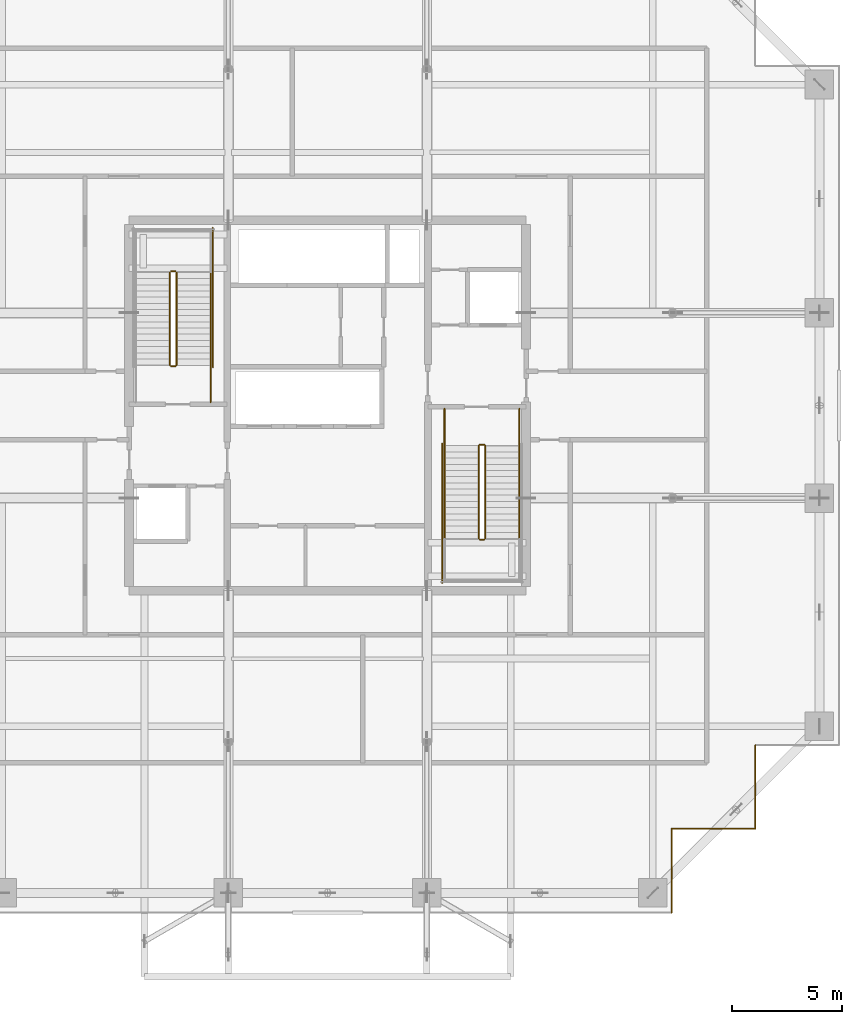
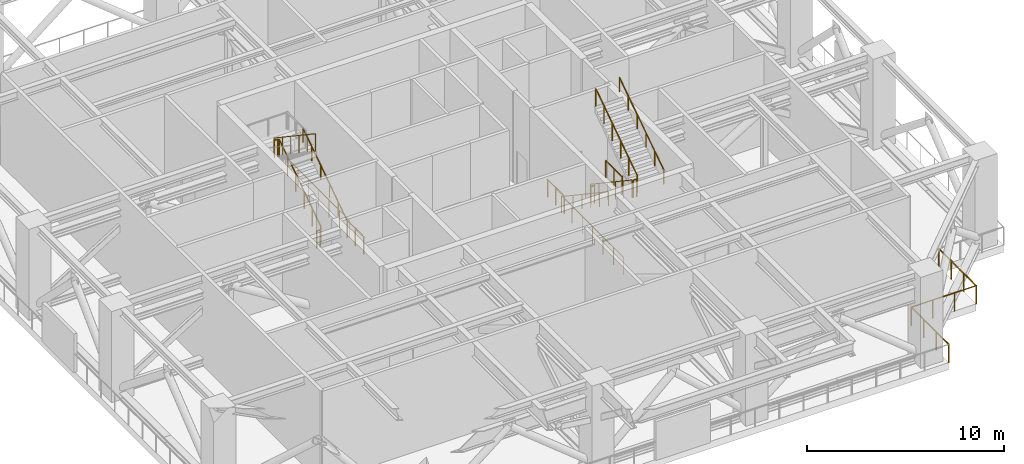
# One storey, part 21 of 22: 19 railings.
"""IFC4 building model written with IfcOpenShell, lengths in metres."""

from ifc_helpers import new_model, si_unit, direction, frame, origin, origin_2d, place, context, subcontext, project, spatial, circle, extrude, material, type_object, element, save


model = new_model("IFC4")

# Units and contexts
model_context = context("Model", 3, precision=1e-05, world=origin(), true_north=direction((0.0, 1.0)))
body_context = subcontext(model_context, "Body", "Model", "MODEL_VIEW")
ifc_project = project(units=[si_unit("LENGTHUNIT", "METRE"), si_unit("AREAUNIT", "SQUARE_METRE"), si_unit("VOLUMEUNIT", "CUBIC_METRE"), si_unit("PLANEANGLEUNIT", "RADIAN"), si_unit("MASSUNIT", "GRAM", prefix="KILO")], contexts=[model_context])

# Site, building, storey
site_placement = place(None, origin())
site = spatial("IfcSite", under=ifc_project, at=site_placement, CompositionType="ELEMENT")
building_placement = place(site_placement, origin())
building = spatial("IfcBuilding", under=site, at=building_placement, Name="Serunith Strait Residences", CompositionType="ELEMENT")
storey_placement = place(building_placement, frame((0.0, 0.0, 198.89990234375)))
storey = spatial("IfcBuildingStorey", under=building, at=storey_placement, Name="L50", CompositionType="ELEMENT", Elevation=198.89990234375)

# Railings
ifc_material_1 = material(Name="Brushed stainless steel 316L", Category="steel")
railing_type_1 = type_object("IfcRailingType", Name="RLG-STAIR-GUARD", PredefinedType="BALUSTRADE", material=ifc_material_1)
railing_1_placement = place(storey_placement, frame((25.550048828125, 27.030029296875, 0.1875)))
element("IfcRailing", 1, at=railing_1_placement, inside=storey, type_object=railing_type_1, Name="L50 ST-1 stair guard 1", PredefinedType="BALUSTRADE", context=body_context, shape_type="SweptSolid", body=[
    extrude(circle(Radius=0.02392578125, at=origin_2d()), frame((0.0, 0.001708984375, 1.0771484375), z_axis=(0.0, 0.830904186295, 0.556415522067), x_axis=(-1.0, 0.0, 0.0)), (0.0, 0.0, 1.0), 5.05078125),
    extrude(circle(Radius=0.02099609375, at=origin_2d()), origin(), (0.0, 0.0, 1.0), 1.050048828125),
    extrude(circle(Radius=0.02099609375, at=origin_2d()), frame((0.0, 0.840087890625, 0.5625)), (0.0, 0.0, 1.0), 1.050048828125),
    extrude(circle(Radius=0.02099609375, at=origin_2d()), frame((0.0, 1.679931640625, 1.125)), (0.0, 0.0, 1.0), 1.050048828125),
    extrude(circle(Radius=0.02099609375, at=origin_2d()), frame((0.0, 2.52001953125, 1.6875)), (0.0, 0.0, 1.0), 1.050048828125),
    extrude(circle(Radius=0.02099609375, at=origin_2d()), frame((0.0, 3.35986328125, 2.25)), (0.0, 0.0, 1.0), 1.050048828125),
    extrude(circle(Radius=0.02099609375, at=origin_2d()), frame((0.0, 4.199951171875, 2.8125)), (0.0, 0.0, 1.0), 1.050048828125),
])
railing_2_placement = place(storey_placement, frame((25.5, 31.280029296875, 3.0)))
element("IfcRailing", 2, at=railing_2_placement, inside=storey, type_object=railing_type_1, Name="L50 ST-1 stair guard 2", PredefinedType="BALUSTRADE", context=body_context, shape_type="SweptSolid", body=[
    extrude(circle(Radius=0.02392578125, at=origin_2d()), frame((-0.001953125, 0.0, 1.076171875), z_axis=(-1.0, 0.0, 0.0), x_axis=(0.0, -1.0, 0.0)), (0.0, 0.0, 1.0), 0.196044921875),
    extrude(circle(Radius=0.02099609375, at=origin_2d()), origin(), (0.0, 0.0, 1.0), 1.050048828125),
    extrude(circle(Radius=0.02099609375, at=origin_2d()), frame((-0.199951171875, 0.0, 0.0)), (0.0, 0.0, 1.0), 1.050048828125),
])
railing_3_placement = place(storey_placement, frame((25.25, 31.22998046875, 3.1875)))
element("IfcRailing", 3, at=railing_3_placement, inside=storey, type_object=railing_type_1, Name="L50 ST-1 stair guard 6", PredefinedType="BALUSTRADE", context=body_context, shape_type="SweptSolid", body=[
    extrude(circle(Radius=0.02392578125, at=origin_2d()), frame((0.0, -0.001708984375, 1.0771484375), z_axis=(0.0, -0.830904186295, 0.556415522067), x_axis=(1.0, 0.0, 0.0)), (0.0, 0.0, 1.0), 5.05078125),
    extrude(circle(Radius=0.02099609375, at=origin_2d()), origin(), (0.0, 0.0, 1.0), 1.050048828125),
    extrude(circle(Radius=0.02099609375, at=origin_2d()), frame((0.0, -0.840087890625, 0.5625)), (0.0, 0.0, 1.0), 1.050048828125),
    extrude(circle(Radius=0.02099609375, at=origin_2d()), frame((0.0, -1.679931640625, 1.125)), (0.0, 0.0, 1.0), 1.050048828125),
    extrude(circle(Radius=0.02099609375, at=origin_2d()), frame((0.0, -2.52001953125, 1.6875)), (0.0, 0.0, 1.0), 1.050048828125),
    extrude(circle(Radius=0.02099609375, at=origin_2d()), frame((0.0, -3.35986328125, 2.25)), (0.0, 0.0, 1.0), 1.050048828125),
    extrude(circle(Radius=0.02099609375, at=origin_2d()), frame((0.0, -4.199951171875, 2.8125)), (0.0, 0.0, 1.0), 1.050048828125),
])
railing_4_placement = place(storey_placement, frame((25.5, 26.97998046875, 0.0)))
element("IfcRailing", 4, at=railing_4_placement, inside=storey, type_object=railing_type_1, Name="L50 ST-1 stair guard 7", PredefinedType="BALUSTRADE", context=body_context, shape_type="SweptSolid", body=[
    extrude(circle(Radius=0.02392578125, at=origin_2d()), frame((-0.001953125, 0.0, 1.076171875), z_axis=(-1.0, 0.0, 0.0), x_axis=(0.0, -1.0, 0.0)), (0.0, 0.0, 1.0), 0.196044921875),
    extrude(circle(Radius=0.02099609375, at=origin_2d()), origin(), (0.0, 0.0, 1.0), 1.050048828125),
    extrude(circle(Radius=0.02099609375, at=origin_2d()), frame((-0.199951171875, 0.0, 0.0)), (0.0, 0.0, 1.0), 1.050048828125),
])
railing_5_placement = place(storey_placement, frame((27.10009765625, 25.35009765625, 0.0)))
element("IfcRailing", 5, at=railing_5_placement, inside=storey, type_object=railing_type_1, Name="L50 ST-1 stair guard 8", PredefinedType="BALUSTRADE", context=body_context, shape_type="SweptSolid", body=[
    extrude(circle(Radius=0.02392578125, at=origin_2d()), frame((0.0, 0.001953125, 1.076171875), z_axis=(0.0, 1.0, 0.0), x_axis=(-1.0, 0.0, 0.0)), (0.0, 0.0, 1.0), 1.676025390625),
    extrude(circle(Radius=0.02099609375, at=origin_2d()), origin(), (0.0, 0.0, 1.0), 1.050048828125),
    extrude(circle(Radius=0.02099609375, at=origin_2d()), frame((0.0, 0.83984375, 0.0)), (0.0, 0.0, 1.0), 1.050048828125),
    extrude(circle(Radius=0.02099609375, at=origin_2d()), frame((0.0, 1.679931640625, 0.0)), (0.0, 0.0, 1.0), 1.050048828125),
])
railing_6_placement = place(storey_placement, frame((27.199951171875, 26.929931640625, 0.0)))
element("IfcRailing", 6, at=railing_6_placement, inside=storey, type_object=railing_type_1, Name="L50 ST-1 stair guard 10", PredefinedType="BALUSTRADE", context=body_context, shape_type="SweptSolid", body=[
    extrude(circle(Radius=0.02392578125, at=origin_2d()), frame((0.0, 0.001953125, 1.076171875), z_axis=(0.0, 1.0, 0.0), x_axis=(-1.0, 0.0, 0.0)), (0.0, 0.0, 1.0), 6.316162109375),
    extrude(circle(Radius=0.02099609375, at=origin_2d()), origin(), (0.0, 0.0, 1.0), 1.050048828125),
    extrude(circle(Radius=0.02099609375, at=origin_2d()), frame((0.0, 1.05322265625, 0.0)), (0.0, 0.0, 1.0), 1.050048828125),
    extrude(circle(Radius=0.02099609375, at=origin_2d()), frame((0.0, 2.106689453125, 0.0)), (0.0, 0.0, 1.0), 1.050048828125),
    extrude(circle(Radius=0.02099609375, at=origin_2d()), frame((0.0, 3.16015625, 0.0)), (0.0, 0.0, 1.0), 1.050048828125),
    extrude(circle(Radius=0.02099609375, at=origin_2d()), frame((0.0, 4.21337890625, 0.0)), (0.0, 0.0, 1.0), 1.050048828125),
    extrude(circle(Radius=0.02099609375, at=origin_2d()), frame((0.0, 5.2666015625, 0.0)), (0.0, 0.0, 1.0), 1.050048828125),
    extrude(circle(Radius=0.02099609375, at=origin_2d()), frame((0.0, 6.320068359375, 0.0)), (0.0, 0.0, 1.0), 1.050048828125),
])
railing_7_placement = place(storey_placement, frame((39.25, 23.3701171875, 0.1875)))
element("IfcRailing", 7, at=railing_7_placement, inside=storey, type_object=railing_type_1, Name="L50 ST-2 stair guard 1", PredefinedType="BALUSTRADE", context=body_context, shape_type="SweptSolid", body=[
    extrude(circle(Radius=0.02392578125, at=origin_2d()), frame((0.0, -0.001708984375, 1.0771484375), z_axis=(0.0, -0.830919138977, 0.55639319234), x_axis=(1.0, 0.0, 0.0)), (0.0, 0.0, 1.0), 5.05078125),
    extrude(circle(Radius=0.02099609375, at=origin_2d()), origin(), (0.0, 0.0, 1.0), 1.050048828125),
    extrude(circle(Radius=0.02099609375, at=origin_2d()), frame((0.0, -0.840087890625, 0.5625)), (0.0, 0.0, 1.0), 1.050048828125),
    extrude(circle(Radius=0.02099609375, at=origin_2d()), frame((0.0, -1.68017578125, 1.125)), (0.0, 0.0, 1.0), 1.050048828125),
    extrude(circle(Radius=0.02099609375, at=origin_2d()), frame((0.0, -2.52001953125, 1.6875)), (0.0, 0.0, 1.0), 1.050048828125),
    extrude(circle(Radius=0.02099609375, at=origin_2d()), frame((0.0, -3.360107421875, 2.25)), (0.0, 0.0, 1.0), 1.050048828125),
    extrude(circle(Radius=0.02099609375, at=origin_2d()), frame((0.0, -4.2001953125, 2.8125)), (0.0, 0.0, 1.0), 1.050048828125),
])
railing_8_placement = place(storey_placement, frame((39.300048828125, 19.1201171875, 3.0)))
element("IfcRailing", 8, at=railing_8_placement, inside=storey, type_object=railing_type_1, Name="L50 ST-2 stair guard 2", PredefinedType="BALUSTRADE", context=body_context, shape_type="SweptSolid", body=[
    extrude(circle(Radius=0.02392578125, at=origin_2d()), frame((0.001953125, 0.0, 1.076171875), z_axis=(1.0, 0.0, 0.0), x_axis=(0.0, 1.0, 0.0)), (0.0, 0.0, 1.0), 0.196044921875),
    extrude(circle(Radius=0.02099609375, at=origin_2d()), origin(), (0.0, 0.0, 1.0), 1.050048828125),
    extrude(circle(Radius=0.02099609375, at=origin_2d()), frame((0.199951171875, 0.0, 0.0)), (0.0, 0.0, 1.0), 1.050048828125),
])
railing_9_placement = place(storey_placement, frame((39.550048828125, 19.169921875, 3.1875)))
element("IfcRailing", 9, at=railing_9_placement, inside=storey, type_object=railing_type_1, Name="L50 ST-2 stair guard 6", PredefinedType="BALUSTRADE", context=body_context, shape_type="SweptSolid", body=[
    extrude(circle(Radius=0.02392578125, at=origin_2d()), frame((0.0, 0.001708984375, 1.0771484375), z_axis=(0.0, 0.830919138977, 0.55639319234), x_axis=(-1.0, 0.0, 0.0)), (0.0, 0.0, 1.0), 5.05078125),
    extrude(circle(Radius=0.02099609375, at=origin_2d()), origin(), (0.0, 0.0, 1.0), 1.050048828125),
    extrude(circle(Radius=0.02099609375, at=origin_2d()), frame((0.0, 0.840087890625, 0.5625)), (0.0, 0.0, 1.0), 1.050048828125),
    extrude(circle(Radius=0.02099609375, at=origin_2d()), frame((0.0, 1.68017578125, 1.125)), (0.0, 0.0, 1.0), 1.050048828125),
    extrude(circle(Radius=0.02099609375, at=origin_2d()), frame((0.0, 2.52001953125, 1.6875)), (0.0, 0.0, 1.0), 1.050048828125),
    extrude(circle(Radius=0.02099609375, at=origin_2d()), frame((0.0, 3.360107421875, 2.25)), (0.0, 0.0, 1.0), 1.050048828125),
    extrude(circle(Radius=0.02099609375, at=origin_2d()), frame((0.0, 4.2001953125, 2.8125)), (0.0, 0.0, 1.0), 1.050048828125),
])
railing_10_placement = place(storey_placement, frame((39.300048828125, 23.419921875, 0.0)))
element("IfcRailing", 10, at=railing_10_placement, inside=storey, type_object=railing_type_1, Name="L50 ST-2 stair guard 7", PredefinedType="BALUSTRADE", context=body_context, shape_type="SweptSolid", body=[
    extrude(circle(Radius=0.02392578125, at=origin_2d()), frame((0.001953125, 0.0, 1.076171875), z_axis=(1.0, 0.0, 0.0), x_axis=(0.0, 1.0, 0.0)), (0.0, 0.0, 1.0), 0.196044921875),
    extrude(circle(Radius=0.02099609375, at=origin_2d()), origin(), (0.0, 0.0, 1.0), 1.050048828125),
    extrude(circle(Radius=0.02099609375, at=origin_2d()), frame((0.199951171875, 0.0, 0.0)), (0.0, 0.0, 1.0), 1.050048828125),
])
for number, where, name in (
    (11, (37.699951171875, 25.050048828125, 0.0), "L50 ST-2 stair guard 8"),
    (12, (41.10009765625, 25.050048828125, 0.0), "L50 ST-2 stair guard 9"),
):
    element("IfcRailing", number, at=place(storey_placement, frame(where)), inside=storey, type_object=railing_type_1, Name=name, PredefinedType="BALUSTRADE", context=body_context, shape_type="SweptSolid", body=[
        extrude(circle(Radius=0.02392578125, at=origin_2d()), frame((0.0, -0.001953125, 1.076171875), z_axis=(0.0, -1.0, 0.0), x_axis=(1.0, 0.0, 0.0)), (0.0, 0.0, 1.0), 1.676025390625),
        extrude(circle(Radius=0.02099609375, at=origin_2d()), origin(), (0.0, 0.0, 1.0), 1.050048828125),
        extrude(circle(Radius=0.02099609375, at=origin_2d()), frame((0.0, -0.83984375, 0.0)), (0.0, 0.0, 1.0), 1.050048828125),
        extrude(circle(Radius=0.02099609375, at=origin_2d()), frame((0.0, -1.679931640625, 0.0)), (0.0, 0.0, 1.0), 1.050048828125),
    ])
railing_11_placement = place(storey_placement, frame((37.60009765625, 23.469970703125, 0.0)))
element("IfcRailing", 13, at=railing_11_placement, inside=storey, type_object=railing_type_1, Name="L50 ST-2 stair guard 10", PredefinedType="BALUSTRADE", context=body_context, shape_type="SweptSolid", body=[
    extrude(circle(Radius=0.02392578125, at=origin_2d()), frame((0.0, -0.001953125, 1.076171875), z_axis=(0.0, -1.0, 0.0), x_axis=(1.0, 0.0, 0.0)), (0.0, 0.0, 1.0), 6.316162109375),
    extrude(circle(Radius=0.02099609375, at=origin_2d()), origin(), (0.0, 0.0, 1.0), 1.050048828125),
    extrude(circle(Radius=0.02099609375, at=origin_2d()), frame((0.0, -1.05322265625, 0.0)), (0.0, 0.0, 1.0), 1.050048828125),
    extrude(circle(Radius=0.02099609375, at=origin_2d()), frame((0.0, -2.106689453125, 0.0)), (0.0, 0.0, 1.0), 1.050048828125),
    extrude(circle(Radius=0.02099609375, at=origin_2d()), frame((0.0, -3.16015625, 0.0)), (0.0, 0.0, 1.0), 1.050048828125),
    extrude(circle(Radius=0.02099609375, at=origin_2d()), frame((0.0, -4.21337890625, 0.0)), (0.0, 0.0, 1.0), 1.050048828125),
    extrude(circle(Radius=0.02099609375, at=origin_2d()), frame((0.0, -5.2666015625, 0.0)), (0.0, 0.0, 1.0), 1.050048828125),
    extrude(circle(Radius=0.02099609375, at=origin_2d()), frame((0.0, -6.320068359375, 0.0)), (0.0, 0.0, 1.0), 1.050048828125),
])
railing_type_2 = type_object("IfcRailingType", Name="RLG-STAIR-HR", PredefinedType="HANDRAIL", material=ifc_material_1)
railing_12_placement = place(storey_placement, frame((27.10009765625, 27.030029296875, 0.1875)))
element("IfcRailing", 14, at=railing_12_placement, inside=storey, type_object=railing_type_2, Name="L50 ST-1 stair handrail 1", PredefinedType="HANDRAIL", context=body_context, shape_type="SweptSolid", body=[
    extrude(circle(Radius=0.02392578125, at=origin_2d()), frame((0.0, 0.001708984375, 0.876953125), z_axis=(0.0, 0.830466402242, 0.55706871636), x_axis=(-1.0, 0.0, 0.0)), (0.0, 0.0, 1.0), 5.390625),
    extrude(circle(Radius=0.02099609375, at=origin_2d()), origin(), (0.0, 0.0, 1.0), 0.849853515625),
    extrude(circle(Radius=0.02099609375, at=origin_2d()), frame((0.0, 0.89599609375, 0.60107421875)), (0.0, 0.0, 1.0), 0.849853515625),
    extrude(circle(Radius=0.02099609375, at=origin_2d()), frame((0.0, 1.7919921875, 1.2021484375)), (0.0, 0.0, 1.0), 0.849853515625),
    extrude(circle(Radius=0.02099609375, at=origin_2d()), frame((0.0, 2.68798828125, 1.802978515625)), (0.0, 0.0, 1.0), 0.849853515625),
    extrude(circle(Radius=0.02099609375, at=origin_2d()), frame((0.0, 3.583984375, 2.404052734375)), (0.0, 0.0, 1.0), 0.849853515625),
    extrude(circle(Radius=0.02099609375, at=origin_2d()), frame((0.0, 4.47998046875, 3.005126953125)), (0.0, 0.0, 1.0), 0.849853515625),
])
railing_13_placement = place(storey_placement, frame((37.699951171875, 23.3701171875, 0.1875)))
element("IfcRailing", 15, at=railing_13_placement, inside=storey, type_object=railing_type_2, Name="L50 ST-2 stair handrail 1", PredefinedType="HANDRAIL", context=body_context, shape_type="SweptSolid", body=[
    extrude(circle(Radius=0.02392578125, at=origin_2d()), frame((0.0, -0.001708984375, 0.876953125), z_axis=(0.0, -0.830480445862, 0.557047779855), x_axis=(1.0, 0.0, 0.0)), (0.0, 0.0, 1.0), 5.390625),
    extrude(circle(Radius=0.02099609375, at=origin_2d()), origin(), (0.0, 0.0, 1.0), 0.849853515625),
    extrude(circle(Radius=0.02099609375, at=origin_2d()), frame((0.0, -0.89599609375, 0.60107421875)), (0.0, 0.0, 1.0), 0.849853515625),
    extrude(circle(Radius=0.02099609375, at=origin_2d()), frame((0.0, -1.7919921875, 1.2021484375)), (0.0, 0.0, 1.0), 0.849853515625),
    extrude(circle(Radius=0.02099609375, at=origin_2d()), frame((0.0, -2.688232421875, 1.802978515625)), (0.0, 0.0, 1.0), 0.849853515625),
    extrude(circle(Radius=0.02099609375, at=origin_2d()), frame((0.0, -3.584228515625, 2.404052734375)), (0.0, 0.0, 1.0), 0.849853515625),
    extrude(circle(Radius=0.02099609375, at=origin_2d()), frame((0.0, -4.480224609375, 3.005126953125)), (0.0, 0.0, 1.0), 0.849853515625),
])
railing_14_placement = place(storey_placement, frame((41.10009765625, 19.169921875, 3.1875)))
element("IfcRailing", 16, at=railing_14_placement, inside=storey, type_object=railing_type_2, Name="L50 ST-2 stair handrail 2", PredefinedType="HANDRAIL", context=body_context, shape_type="SweptSolid", body=[
    extrude(circle(Radius=0.02392578125, at=origin_2d()), frame((0.0, 0.001708984375, 0.876953125), z_axis=(0.0, 0.830466402242, 0.55706871636), x_axis=(-1.0, 0.0, 0.0)), (0.0, 0.0, 1.0), 5.390625),
    extrude(circle(Radius=0.02099609375, at=origin_2d()), origin(), (0.0, 0.0, 1.0), 0.849853515625),
    extrude(circle(Radius=0.02099609375, at=origin_2d()), frame((0.0, 0.89599609375, 0.60107421875)), (0.0, 0.0, 1.0), 0.849853515625),
    extrude(circle(Radius=0.02099609375, at=origin_2d()), frame((0.0, 1.7919921875, 1.2021484375)), (0.0, 0.0, 1.0), 0.849853515625),
    extrude(circle(Radius=0.02099609375, at=origin_2d()), frame((0.0, 2.68798828125, 1.802978515625)), (0.0, 0.0, 1.0), 0.849853515625),
    extrude(circle(Radius=0.02099609375, at=origin_2d()), frame((0.0, 3.583984375, 2.404052734375)), (0.0, 0.0, 1.0), 0.849853515625),
    extrude(circle(Radius=0.02099609375, at=origin_2d()), frame((0.0, 4.47998046875, 3.005126953125)), (0.0, 0.0, 1.0), 0.849853515625),
])
ifc_material_2 = material(Name="Anodised Aluminium Wind-Floor Safety Guard", Category="aluminium")
railing_type_3 = type_object("IfcRailingType", Name="RLG-WIND-1150", PredefinedType="BALUSTRADE", material=ifc_material_2)
railing_15_placement = place(storey_placement, frame((48.0, 2.199951171875, 0.0)))
element("IfcRailing", 17, at=railing_15_placement, inside=storey, type_object=railing_type_3, Name="L50 Porous Wind-Floor Safety Balustrade 02", PredefinedType="BALUSTRADE", context=body_context, shape_type="SweptSolid", body=[
    extrude(circle(Radius=0.02392578125, at=origin_2d()), frame((0.0, 0.001953125, 1.1259765625), z_axis=(0.0, 1.0, 0.0), x_axis=(-1.0, 0.0, 0.0)), (0.0, 0.0, 1.0), 3.796142578125),
    extrude(circle(Radius=0.02099609375, at=origin_2d()), origin(), (0.0, 0.0, 1.0), 1.099853515625),
    extrude(circle(Radius=0.02099609375, at=origin_2d()), frame((0.0, 1.2666015625, 0.0)), (0.0, 0.0, 1.0), 1.099853515625),
    extrude(circle(Radius=0.02099609375, at=origin_2d()), frame((0.0, 2.533447265625, 0.0)), (0.0, 0.0, 1.0), 1.099853515625),
    extrude(circle(Radius=0.02099609375, at=origin_2d()), frame((0.0, 3.800048828125, 0.0)), (0.0, 0.0, 1.0), 1.099853515625),
])
railing_16_placement = place(storey_placement, frame((48.0, 6.0, 0.0)))
element("IfcRailing", 18, at=railing_16_placement, inside=storey, type_object=railing_type_3, Name="L50 Porous Wind-Floor Safety Balustrade 03", PredefinedType="BALUSTRADE", context=body_context, shape_type="SweptSolid", body=[
    extrude(circle(Radius=0.02392578125, at=origin_2d()), frame((0.001953125, 0.0, 1.1259765625), z_axis=(1.0, 0.0, 0.0), x_axis=(0.0, 1.0, 0.0)), (0.0, 0.0, 1.0), 3.796142578125),
    extrude(circle(Radius=0.02099609375, at=origin_2d()), origin(), (0.0, 0.0, 1.0), 1.099853515625),
    extrude(circle(Radius=0.02099609375, at=origin_2d()), frame((1.2666015625, 0.0, 0.0)), (0.0, 0.0, 1.0), 1.099853515625),
    extrude(circle(Radius=0.02099609375, at=origin_2d()), frame((2.533447265625, 0.0, 0.0)), (0.0, 0.0, 1.0), 1.099853515625),
    extrude(circle(Radius=0.02099609375, at=origin_2d()), frame((3.800048828125, 0.0, 0.0)), (0.0, 0.0, 1.0), 1.099853515625),
])
railing_17_placement = place(storey_placement, frame((51.800048828125, 6.0, 0.0)))
element("IfcRailing", 19, at=railing_17_placement, inside=storey, type_object=railing_type_3, Name="L50 Porous Wind-Floor Safety Balustrade 04", PredefinedType="BALUSTRADE", context=body_context, shape_type="SweptSolid", body=[
    extrude(circle(Radius=0.02392578125, at=origin_2d()), frame((0.0, 0.001953125, 1.1259765625), z_axis=(0.0, 1.0, 0.0), x_axis=(-1.0, 0.0, 0.0)), (0.0, 0.0, 1.0), 3.796142578125),
    extrude(circle(Radius=0.02099609375, at=origin_2d()), origin(), (0.0, 0.0, 1.0), 1.099853515625),
    extrude(circle(Radius=0.02099609375, at=origin_2d()), frame((0.0, 1.2666015625, 0.0)), (0.0, 0.0, 1.0), 1.099853515625),
    extrude(circle(Radius=0.02099609375, at=origin_2d()), frame((0.0, 2.533447265625, 0.0)), (0.0, 0.0, 1.0), 1.099853515625),
    extrude(circle(Radius=0.02099609375, at=origin_2d()), frame((0.0, 3.800048828125, 0.0)), (0.0, 0.0, 1.0), 1.099853515625),
])

save(model, "model.ifc")
